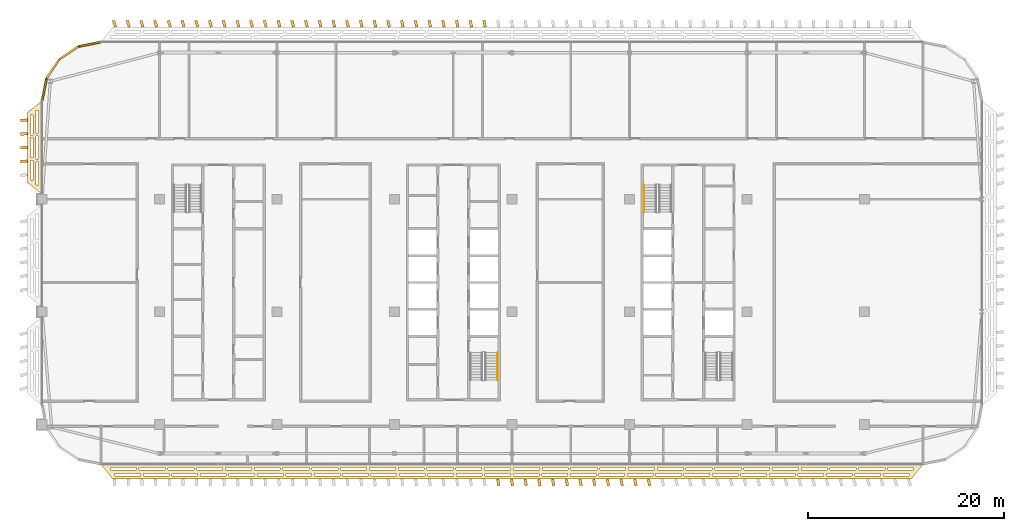
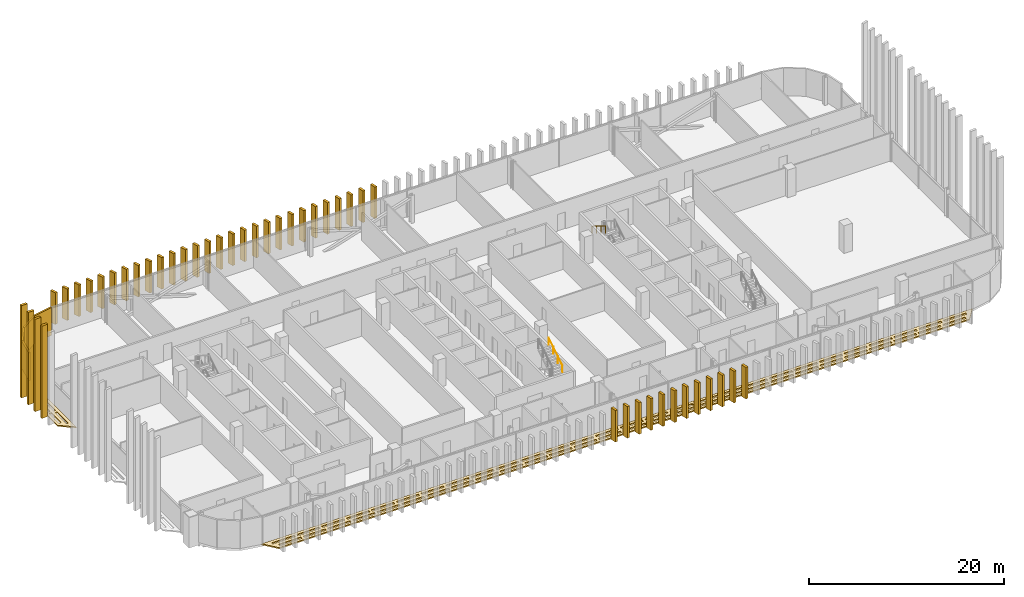
# One storey, part 28 of 32: 50 coverings, 2 railings.
"""IFC4 building model written with IfcOpenShell, lengths in metres."""

from ifc_helpers import new_model, si_unit, direction, frame, origin, origin_2d, place, context, subcontext, project, spatial, polyline, rectangle, circle, outline, extrude, material, layer, layer_set, type_object, element, save


model = new_model("IFC4")

# Units and contexts
model_context = context("Model", 3, precision=1e-05, world=origin(), true_north=direction((0.0, 1.0)))
body_context = subcontext(model_context, "Body", "Model", "MODEL_VIEW")
ifc_project = project(units=[si_unit("LENGTHUNIT", "METRE"), si_unit("AREAUNIT", "SQUARE_METRE"), si_unit("VOLUMEUNIT", "CUBIC_METRE"), si_unit("PLANEANGLEUNIT", "RADIAN"), si_unit("MASSUNIT", "GRAM", prefix="KILO")], contexts=[model_context])

# Site, building, storey
site_placement = place(None, origin())
site = spatial("IfcSite", under=ifc_project, at=site_placement, CompositionType="ELEMENT")
building_placement = place(site_placement, origin())
building = spatial("IfcBuilding", under=site, at=building_placement, Name="Mahtab Terrace Research Tower", CompositionType="ELEMENT")
storey_placement = place(building_placement, frame((0.0, 0.0, 243.800048828125)))
storey = spatial("IfcBuildingStorey", under=building, at=storey_placement, Name="L59", CompositionType="ELEMENT", Elevation=243.800048828125)

# Coverings
ifc_material_1 = material(Name="Black aluminium cladding panel", Category="aluminium")
ifc_layer_1 = layer(ifc_material_1, 0.199951171875)
ifc_layer_set_1 = layer_set([ifc_layer_1], Name="Black metal corner cladding 200")
covering_type_1 = type_object("IfcCoveringType", Name="Black metal corner cladding 200", PredefinedType="CLADDING", material=ifc_layer_set_1)
for number, where, z_axis, x_axis, name in (
    (1, (-37.14794921875, 27.327392578125, 0.0), (0.0, 0.0, 1.0), (-0.980760981187, -0.195212442692, 0.0), "Corner cladding L59 4"),
    (2, (-39.26953125, 26.448974609375, 0.0), (0.0, 0.0, 1.0), (-0.831655794326, -0.555291490808, 0.0), "Corner cladding L59 5"),
    (3, (-40.89306640625, 24.825439453125, 0.0), (0.0, 0.0, 1.0), (-0.555291490808, -0.831655794326, 0.0), "Corner cladding L59 6"),
    (4, (-41.771484375, 22.7041015625, 0.0), (0.0, 0.0, 1.0), (-0.195212442692, -0.980760981187, 0.0), "Corner cladding L59 7"),
):
    element("IfcCovering", number, at=place(storey_placement, frame(where, z_axis=z_axis, x_axis=x_axis)), inside=storey, type_object=covering_type_1, Name=name, PredefinedType="CLADDING", context=body_context, shape_type="SweptSolid", body=[
        extrude(rectangle(XDim=2.30126953125, YDim=0.199951171875, at=origin_2d()), origin(), (0.0, 0.0, 1.0), 3.4599609375),
    ])
ifc_material_2 = material(Name="Black anodised aluminium", Category="aluminium")
ifc_layer_2 = layer(ifc_material_2, 0.14990234375)
ifc_layer_set_2 = layer_set([ifc_layer_2], Name="Horizontal sunshade band")
covering_type_2 = type_object("IfcCoveringType", Name="Horizontal sunshade band", PredefinedType="CLADDING", material=ifc_layer_set_2)
covering_1_placement = place(storey_placement, frame((0.0, 0.0, -0.150146484375)))
element("IfcCovering", 5, at=covering_1_placement, inside=storey, type_object=covering_type_2, Name="Sunshade band L59 8", PredefinedType="CLADDING", context=body_context, shape_type="SweptSolid", body=[
    extrude(outline(polyline([(-42.0, 21.555908203125), (-42.0, 12.0), (-43.5, 13.199951171875), (-43.5, 20.35595703125), (-42.0, 21.555908203125)]), holes=[polyline([(-42.35009765625, 20.575927734375), (-42.35009765625, 18.243896484375), (-42.60009765625, 18.243896484375), (-42.60009765625, 20.575927734375), (-42.35009765625, 20.575927734375)]), polyline([(-42.35009765625, 17.944091796875), (-42.35009765625, 15.612060546875), (-42.60009765625, 15.612060546875), (-42.60009765625, 17.944091796875), (-42.35009765625, 17.944091796875)]), polyline([(-42.35009765625, 15.31201171875), (-42.35009765625, 12.97998046875), (-42.60009765625, 12.97998046875), (-42.60009765625, 15.31201171875), (-42.35009765625, 15.31201171875)]), polyline([(-42.949951171875, 20.095947265625), (-42.949951171875, 18.083984375), (-43.199951171875, 18.083984375), (-43.199951171875, 20.095947265625), (-42.949951171875, 20.095947265625)]), polyline([(-42.949951171875, 17.783935546875), (-42.949951171875, 15.77197265625), (-43.199951171875, 15.77197265625), (-43.199951171875, 17.783935546875), (-42.949951171875, 17.783935546875)]), polyline([(-42.949951171875, 15.471923828125), (-42.949951171875, 13.4599609375), (-43.199951171875, 13.4599609375), (-43.199951171875, 15.471923828125), (-42.949951171875, 15.471923828125)])]), origin(), (0.0, 0.0, 1.0), 0.150146484375),
])
covering_2_placement = place(storey_placement, frame((0.0, 0.0, -0.150146484375)))
element("IfcCovering", 6, at=covering_2_placement, inside=storey, type_object=covering_type_2, Name="Sunshade band L59 15", PredefinedType="CLADDING", context=body_context, shape_type="SweptSolid", body=[
    extrude(outline(polyline([(-36.0, -15.555908203125), (48.0, -15.555908203125), (46.800048828125, -17.055908203125), (-34.800048828125, -17.055908203125), (-36.0, -15.555908203125)]), holes=[polyline([(-35.02001953125, -15.906005859375), (-32.37890625, -15.906005859375), (-32.37890625, -16.156005859375), (-35.02001953125, -16.156005859375), (-35.02001953125, -15.906005859375)]), polyline([(-32.0791015625, -15.906005859375), (-29.43896484375, -15.906005859375), (-29.43896484375, -16.156005859375), (-32.0791015625, -16.156005859375), (-32.0791015625, -15.906005859375)]), polyline([(-29.138916015625, -15.906005859375), (-26.498046875, -15.906005859375), (-26.498046875, -16.156005859375), (-29.138916015625, -16.156005859375), (-29.138916015625, -15.906005859375)]), polyline([(-26.197998046875, -15.906005859375), (-23.556884765625, -15.906005859375), (-23.556884765625, -16.156005859375), (-26.197998046875, -16.156005859375), (-26.197998046875, -15.906005859375)]), polyline([(-23.257080078125, -15.906005859375), (-20.615966796875, -15.906005859375), (-20.615966796875, -16.156005859375), (-23.257080078125, -16.156005859375), (-23.257080078125, -15.906005859375)]), polyline([(-20.31591796875, -15.906005859375), (-17.676025390625, -15.906005859375), (-17.676025390625, -16.156005859375), (-20.31591796875, -16.156005859375), (-20.31591796875, -15.906005859375)]), polyline([(-17.3759765625, -15.906005859375), (-14.735107421875, -15.906005859375), (-14.735107421875, -16.156005859375), (-17.3759765625, -16.156005859375), (-17.3759765625, -15.906005859375)]), polyline([(-14.43505859375, -15.906005859375), (-11.7939453125, -15.906005859375), (-11.7939453125, -16.156005859375), (-14.43505859375, -16.156005859375), (-14.43505859375, -15.906005859375)]), polyline([(-11.493896484375, -15.906005859375), (-8.85400390625, -15.906005859375), (-8.85400390625, -16.156005859375), (-11.493896484375, -16.156005859375), (-11.493896484375, -15.906005859375)]), polyline([(-8.553955078125, -15.906005859375), (-5.9130859375, -15.906005859375), (-5.9130859375, -16.156005859375), (-8.553955078125, -16.156005859375), (-8.553955078125, -15.906005859375)]), polyline([(-5.613037109375, -15.906005859375), (-2.971923828125, -15.906005859375), (-2.971923828125, -16.156005859375), (-5.613037109375, -16.156005859375), (-5.613037109375, -15.906005859375)]), polyline([(-2.672119140625, -15.906005859375), (-0.031005859375, -15.906005859375), (-0.031005859375, -16.156005859375), (-2.672119140625, -16.156005859375), (-2.672119140625, -15.906005859375)]), polyline([(0.26904296875, -15.906005859375), (2.908935546875, -15.906005859375), (2.908935546875, -16.156005859375), (0.26904296875, -16.156005859375), (0.26904296875, -15.906005859375)]), polyline([(3.208984375, -15.906005859375), (5.85009765625, -15.906005859375), (5.85009765625, -16.156005859375), (3.208984375, -16.156005859375), (3.208984375, -15.906005859375)]), polyline([(6.14990234375, -15.906005859375), (8.791015625, -15.906005859375), (8.791015625, -16.156005859375), (6.14990234375, -16.156005859375), (6.14990234375, -15.906005859375)]), polyline([(9.091064453125, -15.906005859375), (11.73095703125, -15.906005859375), (11.73095703125, -16.156005859375), (9.091064453125, -16.156005859375), (9.091064453125, -15.906005859375)]), polyline([(12.031005859375, -15.906005859375), (14.672119140625, -15.906005859375), (14.672119140625, -16.156005859375), (12.031005859375, -16.156005859375), (12.031005859375, -15.906005859375)]), polyline([(14.971923828125, -15.906005859375), (17.613037109375, -15.906005859375), (17.613037109375, -16.156005859375), (14.971923828125, -16.156005859375), (14.971923828125, -15.906005859375)]), polyline([(17.9130859375, -15.906005859375), (20.553955078125, -15.906005859375), (20.553955078125, -16.156005859375), (17.9130859375, -16.156005859375), (17.9130859375, -15.906005859375)]), polyline([(20.85400390625, -15.906005859375), (23.493896484375, -15.906005859375), (23.493896484375, -16.156005859375), (20.85400390625, -16.156005859375), (20.85400390625, -15.906005859375)]), polyline([(23.7939453125, -15.906005859375), (26.43505859375, -15.906005859375), (26.43505859375, -16.156005859375), (23.7939453125, -16.156005859375), (23.7939453125, -15.906005859375)]), polyline([(26.735107421875, -15.906005859375), (29.3759765625, -15.906005859375), (29.3759765625, -16.156005859375), (26.735107421875, -16.156005859375), (26.735107421875, -15.906005859375)]), polyline([(29.676025390625, -15.906005859375), (32.31591796875, -15.906005859375), (32.31591796875, -16.156005859375), (29.676025390625, -16.156005859375), (29.676025390625, -15.906005859375)]), polyline([(32.615966796875, -15.906005859375), (35.257080078125, -15.906005859375), (35.257080078125, -16.156005859375), (32.615966796875, -16.156005859375), (32.615966796875, -15.906005859375)]), polyline([(35.556884765625, -15.906005859375), (38.197998046875, -15.906005859375), (38.197998046875, -16.156005859375), (35.556884765625, -16.156005859375), (35.556884765625, -15.906005859375)]), polyline([(38.498046875, -15.906005859375), (41.138916015625, -15.906005859375), (41.138916015625, -16.156005859375), (38.498046875, -16.156005859375), (38.498046875, -15.906005859375)]), polyline([(41.43896484375, -15.906005859375), (44.0791015625, -15.906005859375), (44.0791015625, -16.156005859375), (41.43896484375, -16.156005859375), (41.43896484375, -15.906005859375)]), polyline([(44.37890625, -15.906005859375), (47.02001953125, -15.906005859375), (47.02001953125, -16.156005859375), (44.37890625, -16.156005859375), (44.37890625, -15.906005859375)]), polyline([(-34.5400390625, -16.506103515625), (-31.93408203125, -16.506103515625), (-31.93408203125, -16.756103515625), (-34.5400390625, -16.756103515625), (-34.5400390625, -16.506103515625)]), polyline([(-31.634033203125, -16.506103515625), (-29.027099609375, -16.506103515625), (-29.027099609375, -16.756103515625), (-31.634033203125, -16.756103515625), (-31.634033203125, -16.506103515625)]), polyline([(-28.72705078125, -16.506103515625), (-26.12109375, -16.506103515625), (-26.12109375, -16.756103515625), (-28.72705078125, -16.756103515625), (-28.72705078125, -16.506103515625)]), polyline([(-25.821044921875, -16.506103515625), (-23.214111328125, -16.506103515625), (-23.214111328125, -16.756103515625), (-25.821044921875, -16.756103515625), (-25.821044921875, -16.506103515625)]), polyline([(-22.9140625, -16.506103515625), (-20.30810546875, -16.506103515625), (-20.30810546875, -16.756103515625), (-22.9140625, -16.756103515625), (-22.9140625, -16.506103515625)]), polyline([(-20.008056640625, -16.506103515625), (-17.40087890625, -16.506103515625), (-17.40087890625, -16.756103515625), (-20.008056640625, -16.756103515625), (-20.008056640625, -16.506103515625)]), polyline([(-17.10107421875, -16.506103515625), (-14.4951171875, -16.506103515625), (-14.4951171875, -16.756103515625), (-17.10107421875, -16.756103515625), (-17.10107421875, -16.506103515625)]), polyline([(-14.195068359375, -16.506103515625), (-11.589111328125, -16.506103515625), (-11.589111328125, -16.756103515625), (-14.195068359375, -16.756103515625), (-14.195068359375, -16.506103515625)]), polyline([(-11.2890625, -16.506103515625), (-8.681884765625, -16.506103515625), (-8.681884765625, -16.756103515625), (-11.2890625, -16.756103515625), (-11.2890625, -16.506103515625)]), polyline([(-8.382080078125, -16.506103515625), (-5.77587890625, -16.506103515625), (-5.77587890625, -16.756103515625), (-8.382080078125, -16.756103515625), (-8.382080078125, -16.506103515625)]), polyline([(-5.47607421875, -16.506103515625), (-2.868896484375, -16.506103515625), (-2.868896484375, -16.756103515625), (-5.47607421875, -16.756103515625), (-5.47607421875, -16.506103515625)]), polyline([(-2.569091796875, -16.506103515625), (0.037109375, -16.506103515625), (0.037109375, -16.756103515625), (-2.569091796875, -16.756103515625), (-2.569091796875, -16.506103515625)]), polyline([(0.3369140625, -16.506103515625), (2.944091796875, -16.506103515625), (2.944091796875, -16.756103515625), (0.3369140625, -16.756103515625), (0.3369140625, -16.506103515625)]), polyline([(3.243896484375, -16.506103515625), (5.85009765625, -16.506103515625), (5.85009765625, -16.756103515625), (3.243896484375, -16.756103515625), (3.243896484375, -16.506103515625)]), polyline([(6.14990234375, -16.506103515625), (8.756103515625, -16.506103515625), (8.756103515625, -16.756103515625), (6.14990234375, -16.756103515625), (6.14990234375, -16.506103515625)]), polyline([(9.055908203125, -16.506103515625), (11.6630859375, -16.506103515625), (11.6630859375, -16.756103515625), (9.055908203125, -16.756103515625), (9.055908203125, -16.506103515625)]), polyline([(11.962890625, -16.506103515625), (14.569091796875, -16.506103515625), (14.569091796875, -16.756103515625), (11.962890625, -16.756103515625), (11.962890625, -16.506103515625)]), polyline([(14.868896484375, -16.506103515625), (17.47607421875, -16.506103515625), (17.47607421875, -16.756103515625), (14.868896484375, -16.756103515625), (14.868896484375, -16.506103515625)]), polyline([(17.77587890625, -16.506103515625), (20.382080078125, -16.506103515625), (20.382080078125, -16.756103515625), (17.77587890625, -16.756103515625), (17.77587890625, -16.506103515625)]), polyline([(20.681884765625, -16.506103515625), (23.2890625, -16.506103515625), (23.2890625, -16.756103515625), (20.681884765625, -16.756103515625), (20.681884765625, -16.506103515625)]), polyline([(23.589111328125, -16.506103515625), (26.195068359375, -16.506103515625), (26.195068359375, -16.756103515625), (23.589111328125, -16.756103515625), (23.589111328125, -16.506103515625)]), polyline([(26.4951171875, -16.506103515625), (29.10107421875, -16.506103515625), (29.10107421875, -16.756103515625), (26.4951171875, -16.756103515625), (26.4951171875, -16.506103515625)]), polyline([(29.40087890625, -16.506103515625), (32.008056640625, -16.506103515625), (32.008056640625, -16.756103515625), (29.40087890625, -16.756103515625), (29.40087890625, -16.506103515625)]), polyline([(32.30810546875, -16.506103515625), (34.9140625, -16.506103515625), (34.9140625, -16.756103515625), (32.30810546875, -16.756103515625), (32.30810546875, -16.506103515625)]), polyline([(35.214111328125, -16.506103515625), (37.821044921875, -16.506103515625), (37.821044921875, -16.756103515625), (35.214111328125, -16.756103515625), (35.214111328125, -16.506103515625)]), polyline([(38.12109375, -16.506103515625), (40.72705078125, -16.506103515625), (40.72705078125, -16.756103515625), (38.12109375, -16.756103515625), (38.12109375, -16.506103515625)]), polyline([(41.027099609375, -16.506103515625), (43.634033203125, -16.506103515625), (43.634033203125, -16.756103515625), (41.027099609375, -16.756103515625), (41.027099609375, -16.506103515625)]), polyline([(43.93408203125, -16.506103515625), (46.5400390625, -16.506103515625), (46.5400390625, -16.756103515625), (43.93408203125, -16.756103515625), (43.93408203125, -16.506103515625)])]), origin(), (0.0, 0.0, 1.0), 0.150146484375),
])

# Railings
ifc_material_3 = material(Name="Stainless steel AISI 304", Category="steel")
railing_type = type_object("IfcRailingType", Name="Stair handrail 900", PredefinedType="HANDRAIL", material=ifc_material_3)
railing_1_placement = place(storey_placement, frame((4.5, -6.97509765625, 2.07275390625)))
element("IfcRailing", 7, at=railing_1_placement, inside=storey, type_object=railing_type, Name="L59 ST2 stair handrail 2", PredefinedType="HANDRAIL", context=body_context, shape_type="SweptSolid", body=[
    extrude(circle(Radius=0.02392578125, at=origin_2d()), frame((0.0, 0.0, 0.8759765625), z_axis=(0.0, 0.851089632645, 0.525020415988), x_axis=(-1.0, 0.0, 0.0)), (0.0, 0.0, 1.0), 3.2900390625),
    extrude(circle(Radius=0.02099609375, at=origin_2d()), origin(), (0.0, 0.0, 1.0), 0.851806640625),
    extrude(circle(Radius=0.02099609375, at=origin_2d()), frame((0.0, 0.933349609375, 0.57568359375)), (0.0, 0.0, 1.0), 0.851806640625),
    extrude(circle(Radius=0.02099609375, at=origin_2d()), frame((0.0, 1.86669921875, 1.151611328125)), (0.0, 0.0, 1.0), 0.851806640625),
    extrude(circle(Radius=0.02099609375, at=origin_2d()), frame((0.0, 2.800048828125, 1.727294921875)), (0.0, 0.0, 1.0), 0.851806640625),
])
railing_2_placement = place(storey_placement, frame((19.5, 12.97509765625, 2.07275390625)))
element("IfcRailing", 8, at=railing_2_placement, inside=storey, type_object=railing_type, Name="L59 ST3 stair handrail 2", PredefinedType="HANDRAIL", context=body_context, shape_type="SweptSolid", body=[
    extrude(circle(Radius=0.02392578125, at=origin_2d()), frame((0.0, 0.0, 0.8759765625), z_axis=(0.0, -0.851089632645, 0.525020415988), x_axis=(1.0, 0.0, 0.0)), (0.0, 0.0, 1.0), 3.2900390625),
    extrude(circle(Radius=0.02099609375, at=origin_2d()), origin(), (0.0, 0.0, 1.0), 0.851806640625),
    extrude(circle(Radius=0.02099609375, at=origin_2d()), frame((0.0, -0.933349609375, 0.57568359375)), (0.0, 0.0, 1.0), 0.851806640625),
    extrude(circle(Radius=0.02099609375, at=origin_2d()), frame((0.0, -1.86669921875, 1.151611328125)), (0.0, 0.0, 1.0), 0.851806640625),
    extrude(circle(Radius=0.02099609375, at=origin_2d()), frame((0.0, -2.800048828125, 1.727294921875)), (0.0, 0.0, 1.0), 0.851806640625),
])

# Coverings
ifc_material_4 = material(Name="Bronze anodised aluminium", Category="aluminium")
ifc_layer_3 = layer(ifc_material_4, 0.1201171875)
ifc_layer_set_3 = layer_set([ifc_layer_3], Name="Vertical fin 700")
covering_type_3 = type_object("IfcCoveringType", Name="Vertical fin 700", PredefinedType="CLADDING", material=ifc_layer_set_3)
for number, where, z_axis, x_axis, name in (
    (9, (3.199951171875, 29.42578125, -0.14990234375), (0.0, 0.0, 1.0), (-0.982720646705, -0.18509492305, 0.0), "Fin L59 N32"),
    (10, (1.800048828125, 29.42626953125, -0.14990234375), (0.0, 0.0, 1.0), (-0.981627183448, -0.190808995377, 0.0), "Fin L59 N33"),
    (11, (0.39990234375, 29.4267578125, -0.14990234375), (0.0, 0.0, 1.0), (-0.980500495757, -0.196516609527, 0.0), "Fin L59 N34"),
    (12, (-1.0, 29.427001953125, -0.14990234375), (0.0, 0.0, 1.0), (-0.979340621764, -0.202217572338, 0.0), "Fin L59 N35"),
    (13, (-2.39990234375, 29.427490234375, -0.14990234375), (0.0, 0.0, 1.0), (-0.978147600734, -0.207911690818, 0.0), "Fin L59 N36"),
    (14, (-3.800048828125, 29.427734375, -0.14990234375), (0.0, 0.0, 1.0), (-0.976921473041, -0.21359877226, 0.0), "Fin L59 N37"),
    (15, (-5.199951171875, 29.42822265625, -0.14990234375), (0.0, 0.0, 1.0), (-0.975662280183, -0.219278624194, 0.0), "Fin L59 N38"),
    (16, (-6.60009765625, 29.428466796875, -0.14990234375), (0.0, 0.0, 1.0), (-0.974370064785, -0.224951054344, 0.0), "Fin L59 N39"),
    (17, (-8.0, 29.428955078125, -0.14990234375), (0.0, 0.0, 1.0), (-0.973044870581, -0.230615870737, 0.0), "Fin L59 N40"),
    (18, (-9.39990234375, 29.42919921875, -0.14990234375), (0.0, 0.0, 1.0), (-0.97168674242, -0.236272881656, 0.0), "Fin L59 N41"),
    (19, (-10.800048828125, 29.429443359375, -0.14990234375), (0.0, 0.0, 1.0), (-0.970295726276, -0.2419218956, 0.0), "Fin L59 N42"),
    (20, (-12.199951171875, 29.4296875, -0.14990234375), (0.0, 0.0, 1.0), (-0.968871869227, -0.247562721386, 0.0), "Fin L59 N43"),
    (21, (-13.60009765625, 29.429931640625, -0.14990234375), (0.0, 0.0, 1.0), (-0.967415219461, -0.25319516811, 0.0), "Fin L59 N44"),
    (22, (-15.0, 29.430419921875, -0.14990234375), (0.0, 0.0, 1.0), (-0.965925826289, -0.258819045103, 0.0), "Fin L59 N45"),
    (23, (-16.39990234375, 29.4306640625, -0.14990234375), (0.0, 0.0, 1.0), (-0.964403740116, -0.264434162032, 0.0), "Fin L59 N46"),
    (24, (-17.800048828125, 29.430908203125, -0.14990234375), (0.0, 0.0, 1.0), (-0.962849012456, -0.270040328864, 0.0), "Fin L59 N47"),
    (25, (-19.199951171875, 29.43115234375, -0.14990234375), (0.0, 0.0, 1.0), (-0.961261695938, -0.275637355817, 0.0), "Fin L59 N48"),
    (26, (-20.60009765625, 29.43115234375, -0.14990234375), (0.0, 0.0, 1.0), (-0.959641844284, -0.28122505347, 0.0), "Fin L59 N49"),
    (27, (-22.0, 29.431396484375, -0.14990234375), (0.0, 0.0, 1.0), (-0.957989512314, -0.286803232717, 0.0), "Fin L59 N50"),
    (28, (-23.39990234375, 29.431640625, -0.14990234375), (0.0, 0.0, 1.0), (-0.956304755963, -0.292371704723, 0.0), "Fin L59 N51"),
    (29, (-24.800048828125, 29.431884765625, -0.14990234375), (0.0, 0.0, 1.0), (-0.954587632249, -0.297930281033, 0.0), "Fin L59 N52"),
    (30, (-26.199951171875, 29.431884765625, -0.14990234375), (0.0, 0.0, 1.0), (-0.952838199286, -0.303478773527, 0.0), "Fin L59 N53"),
    (31, (-27.60009765625, 29.43212890625, -0.14990234375), (0.0, 0.0, 1.0), (-0.951056516295, -0.309016994375, 0.0), "Fin L59 N54"),
    (32, (-29.0, 29.432373046875, -0.14990234375), (0.0, 0.0, 1.0), (-0.949242643575, -0.314544756146, 0.0), "Fin L59 N55"),
    (33, (-30.39990234375, 29.432373046875, -0.14990234375), (0.0, 0.0, 1.0), (-0.947396642512, -0.320061871762, 0.0), "Fin L59 N56"),
    (34, (-31.800048828125, 29.4326171875, -0.14990234375), (0.0, 0.0, 1.0), (-0.945518575599, -0.325568154457, 0.0), "Fin L59 N57"),
    (35, (-33.199951171875, 29.4326171875, -0.14990234375), (0.0, 0.0, 1.0), (-0.943608506396, -0.331063417879, 0.0), "Fin L59 N58"),
    (36, (-34.60009765625, 29.4326171875, -0.14990234375), (0.0, 0.0, 1.0), (-0.941666499544, -0.336547476052, 0.0), "Fin L59 N59"),
):
    element("IfcCovering", number, at=place(storey_placement, frame(where, z_axis=z_axis, x_axis=x_axis)), inside=storey, type_object=covering_type_3, Name=name, PredefinedType="CLADDING", context=body_context, shape_type="SweptSolid", body=[
        extrude(rectangle(XDim=0.280029296875, YDim=0.699951171875, at=origin_2d()), origin(), (0.0, 0.0, 1.0), 3.949951171875),
    ])
for number, where, z_axis, x_axis, name in (
    (37, (-43.85302734375, 19.577880859375, -0.14990234375), (0.0, 0.0, 1.0), (0.022190652423, -0.999753757155, 0.0), "Fin L59 W1"),
    (38, (-43.85498046875, 18.177978515625, -0.14990234375), (0.0, 0.0, 1.0), (0.037890915843, -0.999281881401, 0.0), "Fin L59 W2"),
    (39, (-43.85693359375, 16.778076171875, -0.14990234375), (0.0, 0.0, 1.0), (0.053581830798, -0.998563461883, 0.0), "Fin L59 W3"),
    (40, (-43.85888671875, 15.3779296875, -0.14990234375), (0.0, 0.0, 1.0), (0.069259525976, -0.997598675852, 0.0), "Fin L59 W4"),
):
    element("IfcCovering", number, at=place(storey_placement, frame(where, z_axis=z_axis, x_axis=x_axis)), inside=storey, type_object=covering_type_3, Name=name, PredefinedType="CLADDING", context=body_context, shape_type="SweptSolid", body=[
        extrude(rectangle(XDim=0.280029296875, YDim=0.699951171875, at=origin_2d()), origin(), (0.0, 0.0, 1.0), 11.550048828125),
    ])
for number, where, z_axis, x_axis, name in (
    (41, (4.60009765625, -17.424560546875, -0.14990234375), (0.0, 0.0, 1.0), (0.985801325417, 0.167915892057, 0.0), "Fin L59 S29"),
    (42, (6.0, -17.425048828125, -0.14990234375), (0.0, 0.0, 1.0), (0.984807753012, 0.173648177667, 0.0), "Fin L59 S30"),
    (43, (7.39990234375, -17.425537109375, -0.14990234375), (0.0, 0.0, 1.0), (0.983780848524, 0.179374585932, 0.0), "Fin L59 S31"),
    (44, (8.800048828125, -17.42578125, -0.14990234375), (0.0, 0.0, 1.0), (0.982720646705, 0.18509492305, 0.0), "Fin L59 S32"),
    (45, (10.199951171875, -17.42626953125, -0.14990234375), (0.0, 0.0, 1.0), (0.981627183448, 0.190808995377, 0.0), "Fin L59 S33"),
    (46, (11.60009765625, -17.4267578125, -0.14990234375), (0.0, 0.0, 1.0), (0.980500495757, 0.196516609527, 0.0), "Fin L59 S34"),
    (47, (13.0, -17.427001953125, -0.14990234375), (0.0, 0.0, 1.0), (0.979340621764, 0.202217572338, 0.0), "Fin L59 S35"),
    (48, (14.39990234375, -17.427490234375, -0.14990234375), (0.0, 0.0, 1.0), (0.978147600734, 0.207911690818, 0.0), "Fin L59 S36"),
    (49, (15.800048828125, -17.427734375, -0.14990234375), (0.0, 0.0, 1.0), (0.976921473041, 0.21359877226, 0.0), "Fin L59 S37"),
    (50, (17.199951171875, -17.42822265625, -0.14990234375), (0.0, 0.0, 1.0), (0.975662280183, 0.219278624194, 0.0), "Fin L59 S38"),
    (51, (18.60009765625, -17.428466796875, -0.14990234375), (0.0, 0.0, 1.0), (0.974370064785, 0.224951054344, 0.0), "Fin L59 S39"),
    (52, (20.0, -17.428955078125, -0.14990234375), (0.0, 0.0, 1.0), (0.973044870581, 0.230615870737, 0.0), "Fin L59 S40"),
):
    element("IfcCovering", number, at=place(storey_placement, frame(where, z_axis=z_axis, x_axis=x_axis)), inside=storey, type_object=covering_type_3, Name=name, PredefinedType="CLADDING", context=body_context, shape_type="SweptSolid", body=[
        extrude(rectangle(XDim=0.280029296875, YDim=0.699951171875, at=origin_2d()), origin(), (0.0, 0.0, 1.0), 3.949951171875),
    ])

save(model, "model.ifc")
